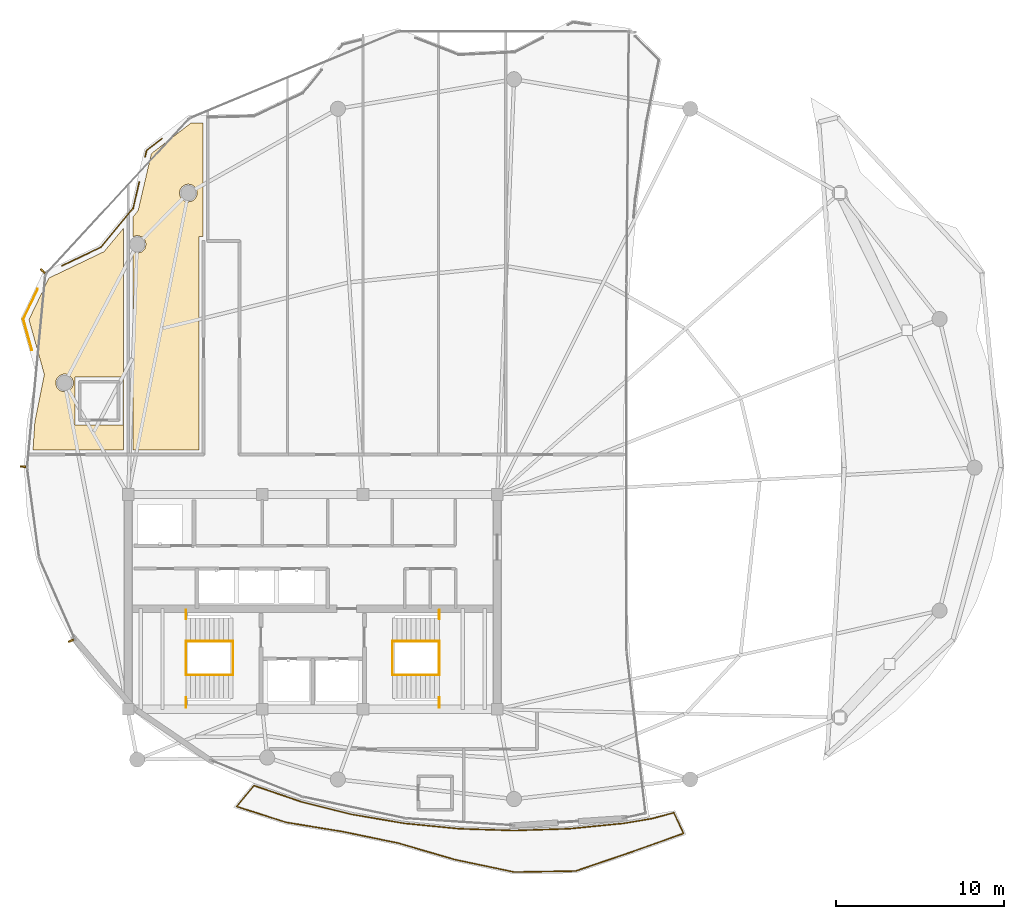
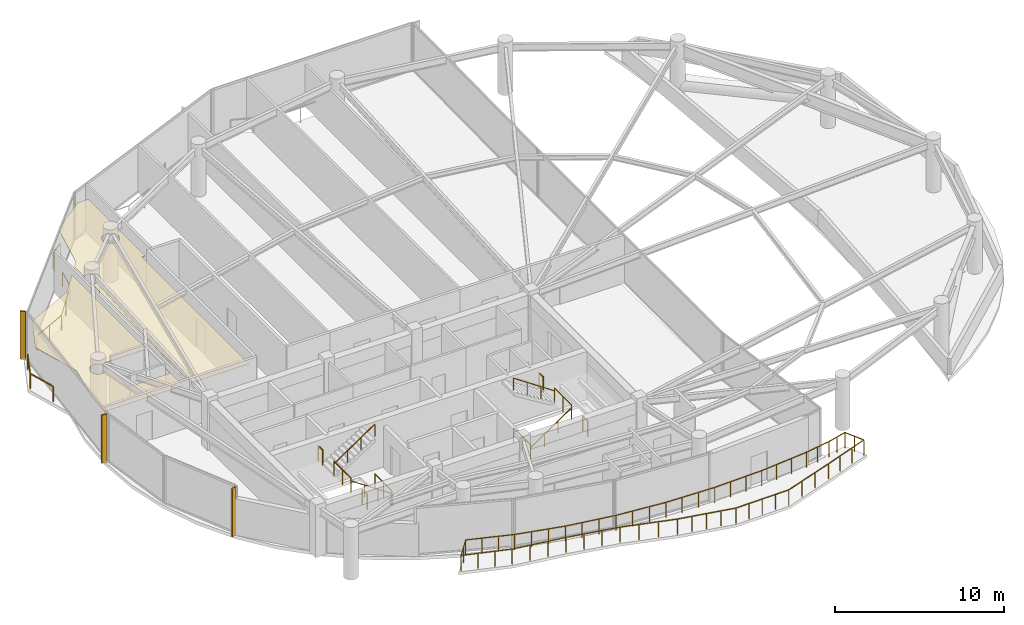
# One storey, part 21 of 22: 16 railings, 3 shading devices, 2 coverings.
"""IFC4 building model written with IfcOpenShell, lengths in metres."""

from ifc_helpers import new_model, si_unit, direction, frame, origin, origin_2d, place, context, subcontext, project, spatial, polyline, rectangle, outline, extrude, material, layer, layer_set, type_object, element, save


model = new_model("IFC4")

# Units and contexts
model_context = context("Model", 3, precision=1e-05, world=origin(), true_north=direction((0.0, 1.0)))
body_context = subcontext(model_context, "Body", "Model", "MODEL_VIEW")
ifc_project = project(units=[si_unit("LENGTHUNIT", "METRE"), si_unit("AREAUNIT", "SQUARE_METRE"), si_unit("VOLUMEUNIT", "CUBIC_METRE"), si_unit("PLANEANGLEUNIT", "RADIAN"), si_unit("MASSUNIT", "GRAM", prefix="KILO")], contexts=[model_context])

# Site, building, storey
site_placement = place(None, origin())
site = spatial("IfcSite", under=ifc_project, at=site_placement, CompositionType="ELEMENT")
building_placement = place(site_placement, origin())
building = spatial("IfcBuilding", under=site, at=building_placement, Name="Kazevale Care Tower and Concert Hall", CompositionType="ELEMENT")
storey_placement = place(building_placement, frame((0.0, 0.0, 277.60009765625)))
storey = spatial("IfcBuildingStorey", under=building, at=storey_placement, Name="L73", CompositionType="ELEMENT", Elevation=277.60009765625)

# Coverings
ifc_material_1 = material(Name="Acoustic Plaster and Hinoki Wood", Category="wood")
ifc_layer = layer(ifc_material_1, 0.0400390625)
ifc_layer_set = layer_set([ifc_layer], Name="Acoustic Plaster and Hinoki Wood")
covering_type = type_object("IfcCoveringType", Name="Acoustic Perforated Wood-Gypsum Ceiling", PredefinedType="CEILING", material=ifc_layer_set)
covering_1_placement = place(storey_placement, frame((0.0, 0.0, 2.829833984375)))
element("IfcCovering", 1, at=covering_1_placement, inside=storey, type_object=covering_type, Name="clg:L73:1", PredefinedType="CEILING", context=body_context, shape_type="SweptSolid", body=[
    extrude(outline(polyline([(16.087890625, 46.824951171875), (17.279052734375, 49.304931640625), (20.56494140625, 50.8759765625), (21.719970703125, 52.263916015625), (21.719970703125, 39.054931640625), (16.330078125, 39.054931640625), (16.44091796875, 40.72802734375), (17.0048828125, 43.55908203125), (16.087890625, 46.824951171875)]), holes=[polyline([(18.844970703125, 43.405029296875), (18.844970703125, 40.544921875), (21.705078125, 40.544921875), (21.705078125, 43.405029296875), (18.844970703125, 43.405029296875)]), polyline([(18.72998046875, 43.153076171875), (18.65087890625, 43.343994140625), (18.50390625, 43.490966796875), (18.31298828125, 43.570068359375), (18.10693359375, 43.570068359375), (17.916015625, 43.490966796875), (17.76904296875, 43.343994140625), (17.68994140625, 43.153076171875), (17.68994140625, 42.947021484375), (17.76904296875, 42.756103515625), (17.916015625, 42.60888671875), (18.10693359375, 42.530029296875), (18.31298828125, 42.530029296875), (18.50390625, 42.60888671875), (18.65087890625, 42.756103515625), (18.72998046875, 42.947021484375), (18.72998046875, 43.153076171875)])]), origin(), (0.0, 0.0, 1.0), 0.0400390625),
])
covering_2_placement = place(storey_placement, frame((0.0, 0.0, 2.829833984375)))
element("IfcCovering", 2, at=covering_2_placement, inside=storey, type_object=covering_type, Name="clg:L73:2", PredefinedType="CEILING", context=body_context, shape_type="SweptSolid", body=[
    extrude(outline(polyline([(22.593994140625, 53.31494140625), (23.385009765625, 56.721923828125), (25.739990234375, 58.535888671875), (26.469970703125, 58.552978515625), (26.469970703125, 51.780029296875), (26.219970703125, 51.780029296875), (26.219970703125, 39.054931640625), (22.280029296875, 39.054931640625), (22.280029296875, 50.85107421875), (22.5400390625, 50.780029296875), (22.833984375, 50.868896484375), (22.98095703125, 51.01611328125), (23.070068359375, 51.31005859375), (22.98095703125, 51.60400390625), (22.833984375, 51.7509765625), (22.5400390625, 51.840087890625), (22.280029296875, 51.76904296875), (22.280029296875, 52.93701171875), (22.593994140625, 53.31494140625)]), holes=[polyline([(26.080078125, 54.572998046875), (25.965087890625, 54.7451171875), (25.79296875, 54.860107421875), (25.590087890625, 54.89990234375), (25.386962890625, 54.860107421875), (25.215087890625, 54.7451171875), (25.10009765625, 54.572998046875), (25.06005859375, 54.3701171875), (25.10009765625, 54.1669921875), (25.215087890625, 53.9951171875), (25.386962890625, 53.8798828125), (25.590087890625, 53.840087890625), (25.79296875, 53.8798828125), (25.965087890625, 53.9951171875), (26.080078125, 54.1669921875), (26.1201171875, 54.3701171875), (26.080078125, 54.572998046875)])]), origin(), (0.0, 0.0, 1.0), 0.0400390625),
])

# Railings
ifc_material_2 = material(Name="Anodised Bronze Aluminium and Laminated Glass", Category="aluminium")
railing_type_1 = type_object("IfcRailingType", Name="Balcony and Terrace Balustrade 1120", PredefinedType="BALUSTRADE", material=ifc_material_2)
railing_1_placement = place(storey_placement, frame((16.262939453125, 45.01806640625, 0.0)))
element("IfcRailing", 3, at=railing_1_placement, inside=storey, type_object=railing_type_1, Name="rail:L73:perim:1", PredefinedType="BALUSTRADE", context=body_context, shape_type="SweptSolid", body=[
    extrude(rectangle(XDim=0.048095703125, YDim=0.048095703125, at=origin_2d()), frame((0.0, 0.0, 1.09619140625), z_axis=(-0.270375000103, 0.962755087922, 0.0), x_axis=(-0.962755087922, -0.270375000103, 0.0)), (0.0, 0.0, 1.0), 1.907958984375),
    extrude(rectangle(XDim=0.048095703125, YDim=0.048095703125, at=origin_2d()), frame((-0.515869140625, 1.8369140625, 1.09619140625), z_axis=(0.433171337814, 0.901311595452, 0.0), x_axis=(-0.901311595452, 0.433171337814, 0.0)), (0.0, 0.0, 1.0), 1.982666015625),
    extrude(rectangle(XDim=0.0419921875, YDim=0.0419921875, at=origin_2d()), origin(), (0.0, 0.0, 1.0), 1.072021484375),
    extrude(rectangle(XDim=0.0419921875, YDim=0.0419921875, at=origin_2d()), frame((-0.515869140625, 1.8369140625, 0.0)), (0.0, 0.0, 1.0), 1.072021484375),
    extrude(rectangle(XDim=0.0419921875, YDim=0.0419921875, at=origin_2d()), frame((0.343017578125, 3.6240234375, 0.0)), (0.0, 0.0, 1.0), 1.072021484375),
])
railing_2_placement = place(storey_placement, frame((18.06689453125, 50.035888671875, 0.0)))
element("IfcRailing", 4, at=railing_2_placement, inside=storey, type_object=railing_type_1, Name="rail:L73:perim:2", PredefinedType="BALUSTRADE", context=body_context, shape_type="SweptSolid", body=[
    extrude(rectangle(XDim=0.048095703125, YDim=0.048095703125, at=origin_2d()), frame((0.0, 0.0, 1.09619140625), z_axis=(0.902057952575, 0.431614932776, 0.0), x_axis=(-0.431614932776, 0.902057952575, 0.0)), (0.0, 0.0, 1.0), 2.546630859375),
    extrude(rectangle(XDim=0.048095703125, YDim=0.048095703125, at=origin_2d()), frame((2.297119140625, 1.09912109375, 1.09619140625), z_axis=(0.639557177374, 0.76874353127, 0.0), x_axis=(-0.76874353127, 0.639557177374, 0.0)), (0.0, 0.0, 1.0), 3.025634765625),
    extrude(rectangle(XDim=0.048095703125, YDim=0.048095703125, at=origin_2d()), frame((4.232177734375, 3.425048828125, 1.09619140625), z_axis=(0.226062506511, 0.97411279796, 0.0), x_axis=(-0.97411279796, 0.226062506511, 0.0)), (0.0, 0.0, 1.0), 1.6005859375),
    extrude(rectangle(XDim=0.0419921875, YDim=0.0419921875, at=origin_2d()), origin(), (0.0, 0.0, 1.0), 1.072021484375),
    extrude(rectangle(XDim=0.0419921875, YDim=0.0419921875, at=origin_2d()), frame((1.1484375, 0.549560546875, 0.0)), (0.0, 0.0, 1.0), 1.072021484375),
    extrude(rectangle(XDim=0.0419921875, YDim=0.0419921875, at=origin_2d()), frame((2.297119140625, 1.09912109375, 0.0)), (0.0, 0.0, 1.0), 1.072021484375),
    extrude(rectangle(XDim=0.0419921875, YDim=0.0419921875, at=origin_2d()), frame((3.2646484375, 2.26220703125, 0.0)), (0.0, 0.0, 1.0), 1.072021484375),
    extrude(rectangle(XDim=0.0419921875, YDim=0.0419921875, at=origin_2d()), frame((4.232177734375, 3.425048828125, 0.0)), (0.0, 0.0, 1.0), 1.072021484375),
    extrude(rectangle(XDim=0.0419921875, YDim=0.0419921875, at=origin_2d()), frame((4.593994140625, 4.984130859375, 0.0)), (0.0, 0.0, 1.0), 1.072021484375),
])
railing_3_placement = place(storey_placement, frame((23.009033203125, 56.51904296875, 0.0)))
element("IfcRailing", 5, at=railing_3_placement, inside=storey, type_object=railing_type_1, Name="rail:L73:perim:3", PredefinedType="BALUSTRADE", context=body_context, shape_type="SweptSolid", body=[
    extrude(rectangle(XDim=0.048095703125, YDim=0.048095703125, at=origin_2d()), frame((0.0, 0.0, 1.09619140625), z_axis=(0.227288030482, 0.973827577757, 0.0), x_axis=(-0.973827577757, 0.227288030482, 0.0)), (0.0, 0.0, 1.0), 0.396240234375),
    extrude(rectangle(XDim=0.048095703125, YDim=0.048095703125, at=origin_2d()), frame((0.090087890625, 0.385986328125, 1.09619140625), z_axis=(0.791840451441, 0.61072800776, 0.0), x_axis=(-0.61072800776, 0.791840451441, 0.0)), (0.0, 0.0, 1.0), 1.1591796875),
    extrude(rectangle(XDim=0.0419921875, YDim=0.0419921875, at=origin_2d()), origin(), (0.0, 0.0, 1.0), 1.072021484375),
    extrude(rectangle(XDim=0.0419921875, YDim=0.0419921875, at=origin_2d()), frame((0.090087890625, 0.385986328125, 0.0)), (0.0, 0.0, 1.0), 1.072021484375),
    extrude(rectangle(XDim=0.0419921875, YDim=0.0419921875, at=origin_2d()), frame((1.008056640625, 1.093994140625, 0.0)), (0.0, 0.0, 1.0), 1.072021484375),
])
railing_4_placement = place(storey_placement, frame((29.5009765625, 19.052978515625, 0.0)))
element("IfcRailing", 6, at=railing_4_placement, inside=storey, type_object=railing_type_1, Name="rail:L73:balcony", PredefinedType="BALUSTRADE", context=body_context, shape_type="SweptSolid", body=[
    extrude(rectangle(XDim=0.048095703125, YDim=0.048095703125, at=origin_2d()), frame((0.0, 0.0, 1.09619140625), z_axis=(0.94573422454, -0.324941189347, 0.0), x_axis=(0.324941189347, 0.94573422454, 0.0)), (0.0, 0.0, 1.0), 2.954345703125),
    extrude(rectangle(XDim=0.048095703125, YDim=0.048095703125, at=origin_2d()), frame((2.7939453125, -0.9599609375, 1.09619140625), z_axis=(0.970197562423, -0.242315269572, 0.0), x_axis=(0.242315269572, 0.970197562423, 0.0)), (0.0, 0.0, 1.0), 3.12841796875),
    extrude(rectangle(XDim=0.048095703125, YDim=0.048095703125, at=origin_2d()), frame((5.8291015625, -1.718017578125, 1.09619140625), z_axis=(0.985888464626, -0.167403510471, 0.0), x_axis=(0.167403510471, 0.985888464626, 0.0)), (0.0, 0.0, 1.0), 3.201171875),
    extrude(rectangle(XDim=0.048095703125, YDim=0.048095703125, at=origin_2d()), frame((8.985107421875, -2.25390625, 1.09619140625), z_axis=(0.995202326145, -0.097838285119, 0.0), x_axis=(0.097838285119, 0.995202326145, 0.0)), (0.0, 0.0, 1.0), 3.25146484375),
    extrude(rectangle(XDim=0.048095703125, YDim=0.048095703125, at=origin_2d()), frame((12.220947265625, -2.572021484375, 1.09619140625), z_axis=(0.999478023027, -0.032306059581, 0.0), x_axis=(0.032306059581, 0.999478023027, 0.0)), (0.0, 0.0, 1.0), 3.27978515625),
    extrude(rectangle(XDim=0.048095703125, YDim=0.048095703125, at=origin_2d()), frame((15.4990234375, -2.677978515625, 1.09619140625), z_axis=(0.999478023027, 0.032306059581, 0.0), x_axis=(-0.032306059581, 0.999478023027, 0.0)), (0.0, 0.0, 1.0), 3.27978515625),
    extrude(rectangle(XDim=0.048095703125, YDim=0.048095703125, at=origin_2d()), frame((18.777099609375, -2.572021484375, 1.09619140625), z_axis=(0.995202326145, 0.097838285119, 0.0), x_axis=(-0.097838285119, 0.995202326145, 0.0)), (0.0, 0.0, 1.0), 3.25146484375),
    extrude(rectangle(XDim=0.048095703125, YDim=0.048095703125, at=origin_2d()), frame((22.012939453125, -2.25390625, 1.09619140625), z_axis=(0.985939740956, 0.16710124836, 0.0), x_axis=(-0.16710124836, 0.985939740956, 0.0)), (0.0, 0.0, 1.0), 1.728515625),
    extrude(rectangle(XDim=0.048095703125, YDim=0.048095703125, at=origin_2d()), frame((23.717041015625, -1.965087890625, 1.09619140625), z_axis=(0.966966654094, 0.254902902829, 0.0), x_axis=(-0.254902902829, 0.966966654094, 0.0)), (0.0, 0.0, 1.0), 1.349609375),
    extrude(rectangle(XDim=0.048095703125, YDim=0.048095703125, at=origin_2d()), frame((25.02197265625, -1.62109375, 1.09619140625), z_axis=(0.425069510987, -0.905160709945, 0.0), x_axis=(0.905160709945, 0.425069510987, 0.0)), (0.0, 0.0, 1.0), 1.357666015625),
    extrude(rectangle(XDim=0.048095703125, YDim=0.048095703125, at=origin_2d()), frame((25.59912109375, -2.85009765625, 1.09619140625), z_axis=(-0.941750441427, -0.336312512512, 0.0), x_axis=(0.336312512512, -0.941750441427, 0.0)), (0.0, 0.0, 1.0), 3.237548828125),
    extrude(rectangle(XDim=0.048095703125, YDim=0.048095703125, at=origin_2d()), frame((22.550048828125, -3.93896484375, 1.09619140625), z_axis=(-0.946445162056, -0.32286460819, 0.0), x_axis=(0.32286460819, -0.946445162056, 0.0)), (0.0, 0.0, 1.0), 3.5712890625),
    extrude(rectangle(XDim=0.048095703125, YDim=0.048095703125, at=origin_2d()), frame((19.169921875, -5.092041015625, 1.09619140625), z_axis=(-0.999860973292, -0.016674354167, 0.0), x_axis=(0.016674354167, -0.999860973292, 0.0)), (0.0, 0.0, 1.0), 3.660400390625),
    extrude(rectangle(XDim=0.048095703125, YDim=0.048095703125, at=origin_2d()), frame((15.510009765625, -5.153076171875, 1.09619140625), z_axis=(-0.97861226336, 0.205713485222, 0.0), x_axis=(-0.205713485222, -0.97861226336, 0.0)), (0.0, 0.0, 1.0), 3.645751953125),
    extrude(rectangle(XDim=0.048095703125, YDim=0.048095703125, at=origin_2d()), frame((11.942138671875, -4.403076171875, 1.09619140625), z_axis=(-0.960014115399, 0.279951599808, 0.0), x_axis=(-0.279951599808, -0.960014115399, 0.0)), (0.0, 0.0, 1.0), 3.486572265625),
    extrude(rectangle(XDim=0.048095703125, YDim=0.048095703125, at=origin_2d()), frame((8.594970703125, -3.427001953125, 1.09619140625), z_axis=(-0.979328520606, 0.202276169449, 0.0), x_axis=(-0.202276169449, -0.979328520606, 0.0)), (0.0, 0.0, 1.0), 3.3818359375),
    extrude(rectangle(XDim=0.048095703125, YDim=0.048095703125, at=origin_2d()), frame((5.282958984375, -2.742919921875, 1.09619140625), z_axis=(-0.986863795406, 0.161554477858, 0.0), x_axis=(-0.161554477858, -0.986863795406, 0.0)), (0.0, 0.0, 1.0), 3.410888671875),
    extrude(rectangle(XDim=0.048095703125, YDim=0.048095703125, at=origin_2d()), frame((1.9169921875, -2.19189453125, 1.09619140625), z_axis=(-0.952499197262, 0.304541096103, 0.0), x_axis=(-0.304541096103, -0.952499197262, 0.0)), (0.0, 0.0, 1.0), 3.095947265625),
    extrude(rectangle(XDim=0.048095703125, YDim=0.048095703125, at=origin_2d()), frame((-1.031982421875, -1.2490234375, 1.09619140625), z_axis=(0.636947644686, 0.770907061797, 0.0), x_axis=(-0.770907061797, 0.636947644686, 0.0)), (0.0, 0.0, 1.0), 1.6201171875),
    extrude(rectangle(XDim=0.0419921875, YDim=0.0419921875, at=origin_2d()), origin(), (0.0, 0.0, 1.0), 1.072021484375),
    extrude(rectangle(XDim=0.0419921875, YDim=0.0419921875, at=origin_2d()), frame((0.931396484375, -0.320068359375, 0.0)), (0.0, 0.0, 1.0), 1.072021484375),
    extrude(rectangle(XDim=0.0419921875, YDim=0.0419921875, at=origin_2d()), frame((1.862548828125, -0.639892578125, 0.0)), (0.0, 0.0, 1.0), 1.072021484375),
    extrude(rectangle(XDim=0.0419921875, YDim=0.0419921875, at=origin_2d()), frame((2.7939453125, -0.9599609375, 0.0)), (0.0, 0.0, 1.0), 1.072021484375),
    extrude(rectangle(XDim=0.0419921875, YDim=0.0419921875, at=origin_2d()), frame((3.8056640625, -1.212646484375, 0.0)), (0.0, 0.0, 1.0), 1.072021484375),
    extrude(rectangle(XDim=0.0419921875, YDim=0.0419921875, at=origin_2d()), frame((4.8173828125, -1.46533203125, 0.0)), (0.0, 0.0, 1.0), 1.072021484375),
    extrude(rectangle(XDim=0.0419921875, YDim=0.0419921875, at=origin_2d()), frame((5.8291015625, -1.718017578125, 0.0)), (0.0, 0.0, 1.0), 1.072021484375),
    extrude(rectangle(XDim=0.0419921875, YDim=0.0419921875, at=origin_2d()), frame((6.881103515625, -1.896728515625, 0.0)), (0.0, 0.0, 1.0), 1.072021484375),
    extrude(rectangle(XDim=0.0419921875, YDim=0.0419921875, at=origin_2d()), frame((7.93310546875, -2.0751953125, 0.0)), (0.0, 0.0, 1.0), 1.072021484375),
    extrude(rectangle(XDim=0.0419921875, YDim=0.0419921875, at=origin_2d()), frame((8.985107421875, -2.25390625, 0.0)), (0.0, 0.0, 1.0), 1.072021484375),
    extrude(rectangle(XDim=0.0419921875, YDim=0.0419921875, at=origin_2d()), frame((10.063720703125, -2.35986328125, 0.0)), (0.0, 0.0, 1.0), 1.072021484375),
    extrude(rectangle(XDim=0.0419921875, YDim=0.0419921875, at=origin_2d()), frame((11.142333984375, -2.466064453125, 0.0)), (0.0, 0.0, 1.0), 1.072021484375),
    extrude(rectangle(XDim=0.0419921875, YDim=0.0419921875, at=origin_2d()), frame((12.220947265625, -2.572021484375, 0.0)), (0.0, 0.0, 1.0), 1.072021484375),
    extrude(rectangle(XDim=0.0419921875, YDim=0.0419921875, at=origin_2d()), frame((13.313720703125, -2.607421875, 0.0)), (0.0, 0.0, 1.0), 1.072021484375),
    extrude(rectangle(XDim=0.0419921875, YDim=0.0419921875, at=origin_2d()), frame((14.40625, -2.642578125, 0.0)), (0.0, 0.0, 1.0), 1.072021484375),
    extrude(rectangle(XDim=0.0419921875, YDim=0.0419921875, at=origin_2d()), frame((15.4990234375, -2.677978515625, 0.0)), (0.0, 0.0, 1.0), 1.072021484375),
    extrude(rectangle(XDim=0.0419921875, YDim=0.0419921875, at=origin_2d()), frame((16.591796875, -2.642578125, 0.0)), (0.0, 0.0, 1.0), 1.072021484375),
    extrude(rectangle(XDim=0.0419921875, YDim=0.0419921875, at=origin_2d()), frame((17.684326171875, -2.607421875, 0.0)), (0.0, 0.0, 1.0), 1.072021484375),
    extrude(rectangle(XDim=0.0419921875, YDim=0.0419921875, at=origin_2d()), frame((18.777099609375, -2.572021484375, 0.0)), (0.0, 0.0, 1.0), 1.072021484375),
    extrude(rectangle(XDim=0.0419921875, YDim=0.0419921875, at=origin_2d()), frame((19.855712890625, -2.466064453125, 0.0)), (0.0, 0.0, 1.0), 1.072021484375),
    extrude(rectangle(XDim=0.0419921875, YDim=0.0419921875, at=origin_2d()), frame((20.934326171875, -2.35986328125, 0.0)), (0.0, 0.0, 1.0), 1.072021484375),
    extrude(rectangle(XDim=0.0419921875, YDim=0.0419921875, at=origin_2d()), frame((22.012939453125, -2.25390625, 0.0)), (0.0, 0.0, 1.0), 1.072021484375),
    extrude(rectangle(XDim=0.0419921875, YDim=0.0419921875, at=origin_2d()), frame((22.864990234375, -2.109375, 0.0)), (0.0, 0.0, 1.0), 1.072021484375),
    extrude(rectangle(XDim=0.0419921875, YDim=0.0419921875, at=origin_2d()), frame((23.717041015625, -1.965087890625, 0.0)), (0.0, 0.0, 1.0), 1.072021484375),
    extrude(rectangle(XDim=0.0419921875, YDim=0.0419921875, at=origin_2d()), frame((24.36962890625, -1.79296875, 0.0)), (0.0, 0.0, 1.0), 1.072021484375),
    extrude(rectangle(XDim=0.0419921875, YDim=0.0419921875, at=origin_2d()), frame((25.02197265625, -1.62109375, 0.0)), (0.0, 0.0, 1.0), 1.072021484375),
    extrude(rectangle(XDim=0.0419921875, YDim=0.0419921875, at=origin_2d()), frame((25.310546875, -2.235595703125, 0.0)), (0.0, 0.0, 1.0), 1.072021484375),
    extrude(rectangle(XDim=0.0419921875, YDim=0.0419921875, at=origin_2d()), frame((25.59912109375, -2.85009765625, 0.0)), (0.0, 0.0, 1.0), 1.072021484375),
    extrude(rectangle(XDim=0.0419921875, YDim=0.0419921875, at=origin_2d()), frame((24.582763671875, -3.213134765625, 0.0)), (0.0, 0.0, 1.0), 1.072021484375),
    extrude(rectangle(XDim=0.0419921875, YDim=0.0419921875, at=origin_2d()), frame((23.56640625, -3.575927734375, 0.0)), (0.0, 0.0, 1.0), 1.072021484375),
    extrude(rectangle(XDim=0.0419921875, YDim=0.0419921875, at=origin_2d()), frame((22.550048828125, -3.93896484375, 0.0)), (0.0, 0.0, 1.0), 1.072021484375),
    extrude(rectangle(XDim=0.0419921875, YDim=0.0419921875, at=origin_2d()), frame((21.42333984375, -4.3232421875, 0.0)), (0.0, 0.0, 1.0), 1.072021484375),
    extrude(rectangle(XDim=0.0419921875, YDim=0.0419921875, at=origin_2d()), frame((20.296630859375, -4.707763671875, 0.0)), (0.0, 0.0, 1.0), 1.072021484375),
    extrude(rectangle(XDim=0.0419921875, YDim=0.0419921875, at=origin_2d()), frame((19.169921875, -5.092041015625, 0.0)), (0.0, 0.0, 1.0), 1.072021484375),
    extrude(rectangle(XDim=0.0419921875, YDim=0.0419921875, at=origin_2d()), frame((18.2548828125, -5.107421875, 0.0)), (0.0, 0.0, 1.0), 1.072021484375),
    extrude(rectangle(XDim=0.0419921875, YDim=0.0419921875, at=origin_2d()), frame((17.33984375, -5.12255859375, 0.0)), (0.0, 0.0, 1.0), 1.072021484375),
    extrude(rectangle(XDim=0.0419921875, YDim=0.0419921875, at=origin_2d()), frame((16.425048828125, -5.1376953125, 0.0)), (0.0, 0.0, 1.0), 1.072021484375),
    extrude(rectangle(XDim=0.0419921875, YDim=0.0419921875, at=origin_2d()), frame((15.510009765625, -5.153076171875, 0.0)), (0.0, 0.0, 1.0), 1.072021484375),
    extrude(rectangle(XDim=0.0419921875, YDim=0.0419921875, at=origin_2d()), frame((14.6181640625, -4.965576171875, 0.0)), (0.0, 0.0, 1.0), 1.072021484375),
    extrude(rectangle(XDim=0.0419921875, YDim=0.0419921875, at=origin_2d()), frame((13.72607421875, -4.778076171875, 0.0)), (0.0, 0.0, 1.0), 1.072021484375),
    extrude(rectangle(XDim=0.0419921875, YDim=0.0419921875, at=origin_2d()), frame((12.833984375, -4.590576171875, 0.0)), (0.0, 0.0, 1.0), 1.072021484375),
    extrude(rectangle(XDim=0.0419921875, YDim=0.0419921875, at=origin_2d()), frame((11.942138671875, -4.403076171875, 0.0)), (0.0, 0.0, 1.0), 1.072021484375),
    extrude(rectangle(XDim=0.0419921875, YDim=0.0419921875, at=origin_2d()), frame((10.826416015625, -4.07763671875, 0.0)), (0.0, 0.0, 1.0), 1.072021484375),
    extrude(rectangle(XDim=0.0419921875, YDim=0.0419921875, at=origin_2d()), frame((9.710693359375, -3.75244140625, 0.0)), (0.0, 0.0, 1.0), 1.072021484375),
    extrude(rectangle(XDim=0.0419921875, YDim=0.0419921875, at=origin_2d()), frame((8.594970703125, -3.427001953125, 0.0)), (0.0, 0.0, 1.0), 1.072021484375),
    extrude(rectangle(XDim=0.0419921875, YDim=0.0419921875, at=origin_2d()), frame((7.490966796875, -3.198974609375, 0.0)), (0.0, 0.0, 1.0), 1.072021484375),
    extrude(rectangle(XDim=0.0419921875, YDim=0.0419921875, at=origin_2d()), frame((6.386962890625, -2.970947265625, 0.0)), (0.0, 0.0, 1.0), 1.072021484375),
    extrude(rectangle(XDim=0.0419921875, YDim=0.0419921875, at=origin_2d()), frame((5.282958984375, -2.742919921875, 0.0)), (0.0, 0.0, 1.0), 1.072021484375),
    extrude(rectangle(XDim=0.0419921875, YDim=0.0419921875, at=origin_2d()), frame((4.160888671875, -2.559326171875, 0.0)), (0.0, 0.0, 1.0), 1.072021484375),
    extrude(rectangle(XDim=0.0419921875, YDim=0.0419921875, at=origin_2d()), frame((3.0390625, -2.37548828125, 0.0)), (0.0, 0.0, 1.0), 1.072021484375),
    extrude(rectangle(XDim=0.0419921875, YDim=0.0419921875, at=origin_2d()), frame((1.9169921875, -2.19189453125, 0.0)), (0.0, 0.0, 1.0), 1.072021484375),
    extrude(rectangle(XDim=0.0419921875, YDim=0.0419921875, at=origin_2d()), frame((0.93408203125, -1.877685546875, 0.0)), (0.0, 0.0, 1.0), 1.072021484375),
    extrude(rectangle(XDim=0.0419921875, YDim=0.0419921875, at=origin_2d()), frame((-0.049072265625, -1.563232421875, 0.0)), (0.0, 0.0, 1.0), 1.072021484375),
    extrude(rectangle(XDim=0.0419921875, YDim=0.0419921875, at=origin_2d()), frame((-1.031982421875, -1.2490234375, 0.0)), (0.0, 0.0, 1.0), 1.072021484375),
    extrude(rectangle(XDim=0.0419921875, YDim=0.0419921875, at=origin_2d()), frame((-0.51611328125, -0.62451171875, 0.0)), (0.0, 0.0, 1.0), 1.072021484375),
])
ifc_material_3 = material(Name="Stainless Steel 316", Category="steel")
railing_type_2 = type_object("IfcRailingType", Name="Stair Pitch Handrail 920", PredefinedType="HANDRAIL", material=ifc_material_3)
railing_5_placement = place(storey_placement, frame((28.25, 25.639892578125, 0.0)))
element("IfcRailing", 7, at=railing_5_placement, inside=storey, type_object=railing_type_2, Name="stair:L73:ST1:hr1", PredefinedType="HANDRAIL", context=body_context, shape_type="SweptSolid", body=[
    extrude(rectangle(XDim=0.048095703125, YDim=0.048095703125, at=origin_2d()), frame((0.0, 0.0, 0.89599609375), z_axis=(-0.827493732819, 0.0, 0.561474952376), x_axis=(0.0, -1.0, 0.0)), (0.0, 0.0, 1.0), 3.3837890625),
    extrude(rectangle(XDim=0.0419921875, YDim=0.0419921875, at=origin_2d()), origin(), (0.0, 0.0, 1.0), 0.871826171875),
    extrude(rectangle(XDim=0.0419921875, YDim=0.0419921875, at=origin_2d()), frame((-0.933349609375, 0.0, 0.63330078125)), (0.0, 0.0, 1.0), 0.871826171875),
    extrude(rectangle(XDim=0.0419921875, YDim=0.0419921875, at=origin_2d()), frame((-1.86669921875, 0.0, 1.2666015625)), (0.0, 0.0, 1.0), 0.871826171875),
    extrude(rectangle(XDim=0.0419921875, YDim=0.0419921875, at=origin_2d()), frame((-2.800048828125, 0.0, 1.89990234375)), (0.0, 0.0, 1.0), 0.871826171875),
])
for number, where, name in (
    (8, (25.449951171875, 27.659912109375, 1.89990234375), "stair:L73:ST1:hr2"),
    (9, (37.75, 25.639892578125, 0.0), "stair:L73:ST2:hr1"),
):
    element("IfcRailing", number, at=place(storey_placement, frame(where)), inside=storey, type_object=railing_type_2, Name=name, PredefinedType="HANDRAIL", context=body_context, shape_type="SweptSolid", body=[
        extrude(rectangle(XDim=0.048095703125, YDim=0.048095703125, at=origin_2d()), frame((0.0, 0.0, 0.89599609375), z_axis=(0.827493732819, 0.0, 0.561474952376), x_axis=(0.0, 1.0, 0.0)), (0.0, 0.0, 1.0), 3.3837890625),
        extrude(rectangle(XDim=0.0419921875, YDim=0.0419921875, at=origin_2d()), origin(), (0.0, 0.0, 1.0), 0.871826171875),
        extrude(rectangle(XDim=0.0419921875, YDim=0.0419921875, at=origin_2d()), frame((0.933349609375, 0.0, 0.63330078125)), (0.0, 0.0, 1.0), 0.871826171875),
        extrude(rectangle(XDim=0.0419921875, YDim=0.0419921875, at=origin_2d()), frame((1.86669921875, 0.0, 1.2666015625)), (0.0, 0.0, 1.0), 0.871826171875),
        extrude(rectangle(XDim=0.0419921875, YDim=0.0419921875, at=origin_2d()), frame((2.800048828125, 0.0, 1.89990234375)), (0.0, 0.0, 1.0), 0.871826171875),
    ])
railing_6_placement = place(storey_placement, frame((40.550048828125, 27.659912109375, 1.89990234375)))
element("IfcRailing", 10, at=railing_6_placement, inside=storey, type_object=railing_type_2, Name="stair:L73:ST2:hr2", PredefinedType="HANDRAIL", context=body_context, shape_type="SweptSolid", body=[
    extrude(rectangle(XDim=0.048095703125, YDim=0.048095703125, at=origin_2d()), frame((0.0, 0.0, 0.89599609375), z_axis=(-0.827493732819, 0.0, 0.561474952376), x_axis=(0.0, -1.0, 0.0)), (0.0, 0.0, 1.0), 3.3837890625),
    extrude(rectangle(XDim=0.0419921875, YDim=0.0419921875, at=origin_2d()), origin(), (0.0, 0.0, 1.0), 0.871826171875),
    extrude(rectangle(XDim=0.0419921875, YDim=0.0419921875, at=origin_2d()), frame((-0.933349609375, 0.0, 0.63330078125)), (0.0, 0.0, 1.0), 0.871826171875),
    extrude(rectangle(XDim=0.0419921875, YDim=0.0419921875, at=origin_2d()), frame((-1.86669921875, 0.0, 1.2666015625)), (0.0, 0.0, 1.0), 0.871826171875),
    extrude(rectangle(XDim=0.0419921875, YDim=0.0419921875, at=origin_2d()), frame((-2.800048828125, 0.0, 1.89990234375)), (0.0, 0.0, 1.0), 0.871826171875),
])
railing_type_3 = type_object("IfcRailingType", Name="Stair Well Guard Balustrade 1120", PredefinedType="BALUSTRADE", material=ifc_material_3)
railing_7_placement = place(storey_placement, frame((25.449951171875, 23.699951171875, 1.89990234375)))
element("IfcRailing", 11, at=railing_7_placement, inside=storey, type_object=railing_type_3, Name="stair:L73:ST1:grd_side1", PredefinedType="BALUSTRADE", context=body_context, shape_type="SweptSolid", body=[
    extrude(rectangle(XDim=0.048095703125, YDim=0.048095703125, at=origin_2d()), frame((0.0, 0.0, 1.09619140625), z_axis=(0.0, 1.0, 0.0), x_axis=(-1.0, 0.0, 0.0)), (0.0, 0.0, 1.0), 0.610107421875),
    extrude(rectangle(XDim=0.0419921875, YDim=0.0419921875, at=origin_2d()), origin(), (0.0, 0.0, 1.0), 1.072021484375),
    extrude(rectangle(XDim=0.0419921875, YDim=0.0419921875, at=origin_2d()), frame((0.0, 0.610107421875, 0.0)), (0.0, 0.0, 1.0), 1.072021484375),
])
railing_8_placement = place(storey_placement, frame((25.449951171875, 28.989990234375, 1.89990234375)))
element("IfcRailing", 12, at=railing_8_placement, inside=storey, type_object=railing_type_3, Name="stair:L73:ST1:grd_side2", PredefinedType="BALUSTRADE", context=body_context, shape_type="SweptSolid", body=[
    extrude(rectangle(XDim=0.048095703125, YDim=0.048095703125, at=origin_2d()), frame((0.0, 0.0, 1.09619140625), z_axis=(0.0, 1.0, 0.0), x_axis=(-1.0, 0.0, 0.0)), (0.0, 0.0, 1.0), 0.510009765625),
    extrude(rectangle(XDim=0.0419921875, YDim=0.0419921875, at=origin_2d()), origin(), (0.0, 0.0, 1.0), 1.072021484375),
    extrude(rectangle(XDim=0.0419921875, YDim=0.0419921875, at=origin_2d()), frame((0.0, 0.510009765625, 0.0)), (0.0, 0.0, 1.0), 1.072021484375),
])
for number, where, name in (
    (13, (25.449951171875, 25.639892578125, 1.89990234375), "stair:L73:ST1:grd_mid"),
    (14, (28.25, 25.639892578125, 0.0), "stair:L73:ST1:grd_flr"),
):
    element("IfcRailing", number, at=place(storey_placement, frame(where)), inside=storey, type_object=railing_type_3, Name=name, PredefinedType="BALUSTRADE", context=body_context, shape_type="SweptSolid", body=[
        extrude(rectangle(XDim=0.048095703125, YDim=0.048095703125, at=origin_2d()), frame((0.0, 0.0, 1.09619140625), z_axis=(0.0, 1.0, 0.0), x_axis=(-1.0, 0.0, 0.0)), (0.0, 0.0, 1.0), 2.02001953125),
        extrude(rectangle(XDim=0.0419921875, YDim=0.0419921875, at=origin_2d()), origin(), (0.0, 0.0, 1.0), 1.072021484375),
        extrude(rectangle(XDim=0.0419921875, YDim=0.0419921875, at=origin_2d()), frame((0.0, 1.010009765625, 0.0)), (0.0, 0.0, 1.0), 1.072021484375),
        extrude(rectangle(XDim=0.0419921875, YDim=0.0419921875, at=origin_2d()), frame((0.0, 2.02001953125, 0.0)), (0.0, 0.0, 1.0), 1.072021484375),
    ])
railing_9_placement = place(storey_placement, frame((40.550048828125, 23.699951171875, 1.89990234375)))
element("IfcRailing", 15, at=railing_9_placement, inside=storey, type_object=railing_type_3, Name="stair:L73:ST2:grd_side1", PredefinedType="BALUSTRADE", context=body_context, shape_type="SweptSolid", body=[
    extrude(rectangle(XDim=0.048095703125, YDim=0.048095703125, at=origin_2d()), frame((0.0, 0.0, 1.09619140625), z_axis=(0.0, 1.0, 0.0), x_axis=(-1.0, 0.0, 0.0)), (0.0, 0.0, 1.0), 0.610107421875),
    extrude(rectangle(XDim=0.0419921875, YDim=0.0419921875, at=origin_2d()), origin(), (0.0, 0.0, 1.0), 1.072021484375),
    extrude(rectangle(XDim=0.0419921875, YDim=0.0419921875, at=origin_2d()), frame((0.0, 0.610107421875, 0.0)), (0.0, 0.0, 1.0), 1.072021484375),
])
railing_10_placement = place(storey_placement, frame((40.550048828125, 28.989990234375, 1.89990234375)))
element("IfcRailing", 16, at=railing_10_placement, inside=storey, type_object=railing_type_3, Name="stair:L73:ST2:grd_side2", PredefinedType="BALUSTRADE", context=body_context, shape_type="SweptSolid", body=[
    extrude(rectangle(XDim=0.048095703125, YDim=0.048095703125, at=origin_2d()), frame((0.0, 0.0, 1.09619140625), z_axis=(0.0, 1.0, 0.0), x_axis=(-1.0, 0.0, 0.0)), (0.0, 0.0, 1.0), 0.510009765625),
    extrude(rectangle(XDim=0.0419921875, YDim=0.0419921875, at=origin_2d()), origin(), (0.0, 0.0, 1.0), 1.072021484375),
    extrude(rectangle(XDim=0.0419921875, YDim=0.0419921875, at=origin_2d()), frame((0.0, 0.510009765625, 0.0)), (0.0, 0.0, 1.0), 1.072021484375),
])
for number, where, name in (
    (17, (40.550048828125, 25.639892578125, 1.89990234375), "stair:L73:ST2:grd_mid"),
    (18, (37.75, 25.639892578125, 0.0), "stair:L73:ST2:grd_flr"),
):
    element("IfcRailing", number, at=place(storey_placement, frame(where)), inside=storey, type_object=railing_type_3, Name=name, PredefinedType="BALUSTRADE", context=body_context, shape_type="SweptSolid", body=[
        extrude(rectangle(XDim=0.048095703125, YDim=0.048095703125, at=origin_2d()), frame((0.0, 0.0, 1.09619140625), z_axis=(0.0, 1.0, 0.0), x_axis=(-1.0, 0.0, 0.0)), (0.0, 0.0, 1.0), 2.02001953125),
        extrude(rectangle(XDim=0.0419921875, YDim=0.0419921875, at=origin_2d()), origin(), (0.0, 0.0, 1.0), 1.072021484375),
        extrude(rectangle(XDim=0.0419921875, YDim=0.0419921875, at=origin_2d()), frame((0.0, 1.010009765625, 0.0)), (0.0, 0.0, 1.0), 1.072021484375),
        extrude(rectangle(XDim=0.0419921875, YDim=0.0419921875, at=origin_2d()), frame((0.0, 2.02001953125, 0.0)), (0.0, 0.0, 1.0), 1.072021484375),
    ])

# Shading devices
ifc_material_4 = material(Name="Anodised Bronze Aluminium", Category="aluminium")
shading_device_type = type_object("IfcShadingDeviceType", Name="Waist Anodised Bronze-Stone Fin FIN-02", PredefinedType="USERDEFINED", material=ifc_material_4)
for number, where, z_axis, x_axis, name in (
    (19, (18.594482421875, 27.684326171875, 0.0), (0.0, 0.0, 1.0), (-0.91495966785, -0.403545296352, 0.0), "cw:L73:f07:fin"),
    (20, (15.72900390625, 38.06396484375, 0.0), (0.0, 0.0, 1.0), (-0.995545524441, 0.094282070226, 0.0), "cw:L73:f09:fin"),
    (21, (16.908935546875, 49.718017578125, 0.0), (0.0, 0.0, 1.0), (-0.735269577966, 0.677774776543, 0.0), "cw:L73:f10:fin"),
):
    element("IfcShadingDevice", number, at=place(storey_placement, frame(where, z_axis=z_axis, x_axis=x_axis)), inside=storey, type_object=shading_device_type, Name=name, ObjectType="FIN", PredefinedType="USERDEFINED", context=body_context, shape_type="SweptSolid", body=[
        extrude(rectangle(XDim=0.340087890625, YDim=0.10009765625, at=origin_2d()), origin(), (0.0, 0.0, 1.0), 3.47998046875),
    ])

save(model, "model.ifc")
